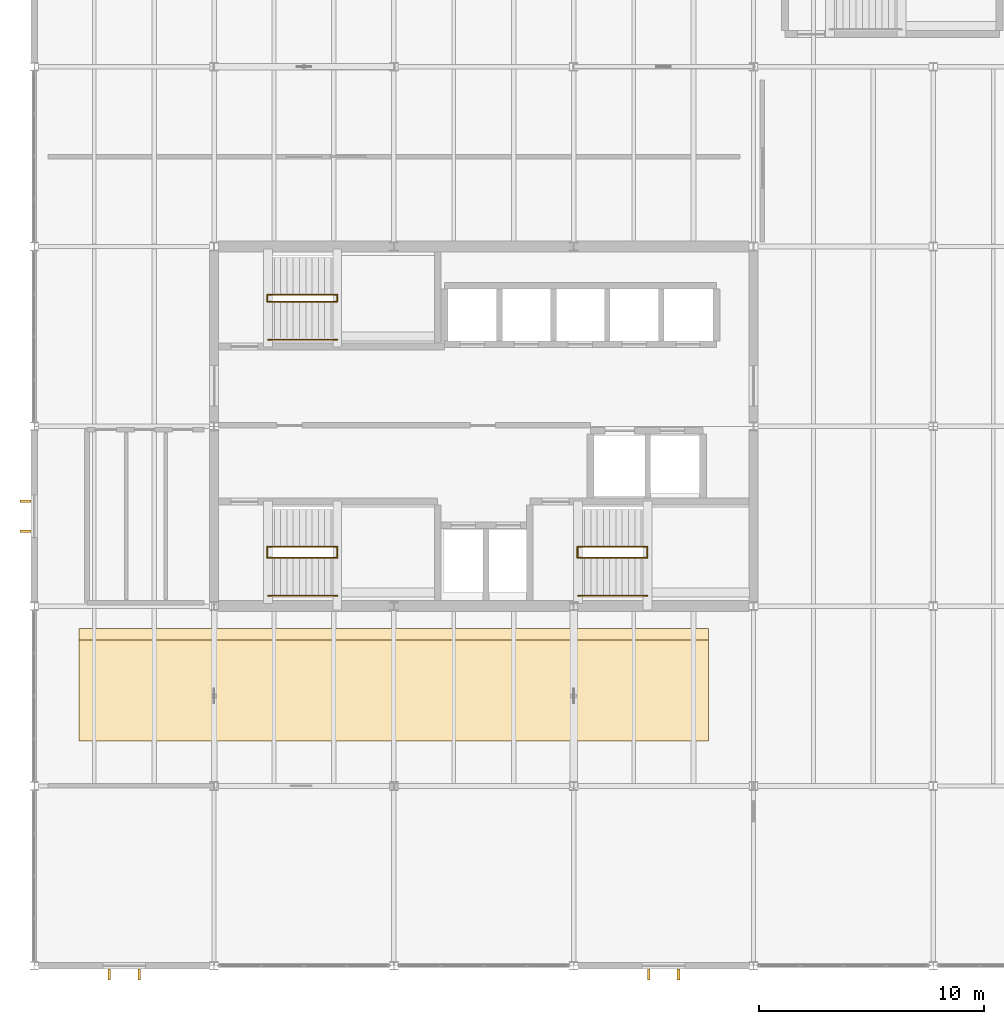
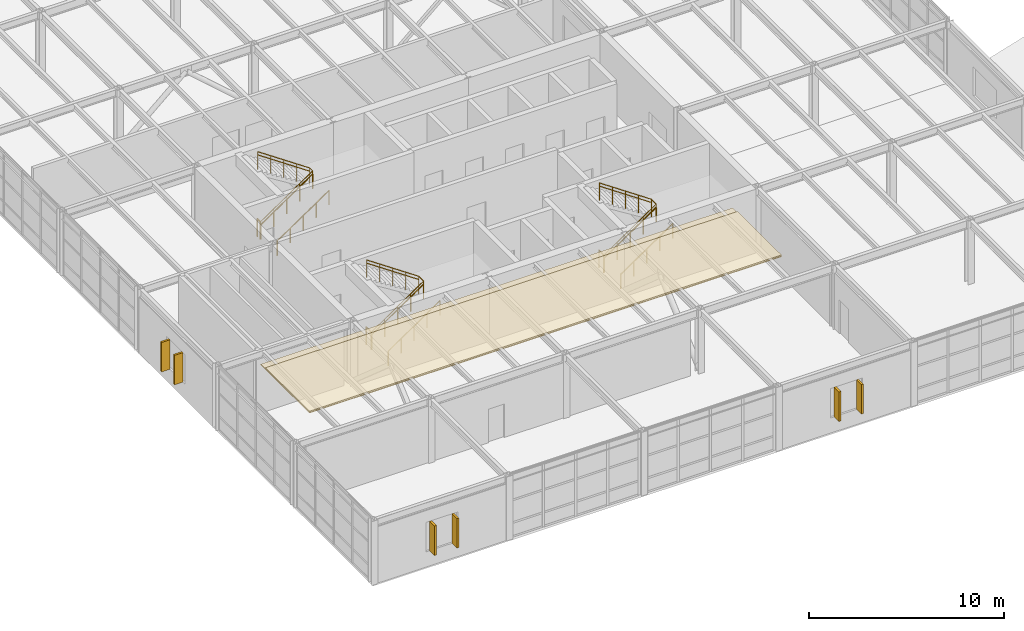
# One storey, part 47 of 50: 18 railings, 6 shading devices, 2 coverings.
"""IFC4 building model written with IfcOpenShell, lengths in metres."""

from ifc_helpers import new_model, si_unit, direction, frame, origin, origin_2d, place, context, subcontext, project, spatial, polyline, rectangle, circle, outline, extrude, material, layer, layer_set, type_object, element, save


model = new_model("IFC4")

# Units and contexts
model_context = context("Model", 3, precision=1e-05, world=origin(), true_north=direction((0.0, 1.0)))
body_context = subcontext(model_context, "Body", "Model", "MODEL_VIEW")
ifc_project = project(units=[si_unit("LENGTHUNIT", "METRE"), si_unit("AREAUNIT", "SQUARE_METRE"), si_unit("VOLUMEUNIT", "CUBIC_METRE"), si_unit("PLANEANGLEUNIT", "RADIAN"), si_unit("MASSUNIT", "GRAM", prefix="KILO")], contexts=[model_context])

# Site, building, storey
site_placement = place(None, origin())
site = spatial("IfcSite", under=ifc_project, at=site_placement, CompositionType="ELEMENT")
building_placement = place(site_placement, origin())
building = spatial("IfcBuilding", under=site, at=building_placement, Name="Varnela Railside Interchange", CompositionType="ELEMENT")
storey_placement = place(building_placement, frame((0.0, 0.0, 15.39990234375)))
storey = spatial("IfcBuildingStorey", under=building, at=storey_placement, Name="L03", CompositionType="ELEMENT", Elevation=15.39990234375)

# Coverings
ifc_material_1 = material(Name="Concrete C40 precast", Category="concrete")
ifc_layer_1 = layer(ifc_material_1, 0.050048828125)
ifc_layer_set_1 = layer_set([ifc_layer_1], Name="Concrete C40 precast")
covering_type_1 = type_object("IfcCoveringType", Name="Board-Formed Concrete Cladding Liner CV-CLD", PredefinedType="CLADDING", material=ifc_layer_set_1)
covering_1_placement = place(storey_placement, frame((0.0, 0.0, 3.8701171875)))
element("IfcCovering", 1, at=covering_1_placement, inside=storey, type_object=covering_type_1, Name="Board-Formed Concrete Cladding Liner CV-CLD", PredefinedType="CLADDING", context=body_context, shape_type="SweptSolid", body=[
    extrude(outline(polyline([(6.0, 48.0), (34.0, 48.0), (34.0, 53.0), (6.0, 53.0), (6.0, 48.0)])), origin(), (0.0, 0.0, 1.0), 0.050048828125),
])
ifc_material_2 = material(Name="Mineral wool acoustic")
ifc_layer_2 = layer(ifc_material_2, 0.080078125)
ifc_layer_set_2 = layer_set([ifc_layer_2], Name="Mineral wool acoustic")
covering_type_2 = type_object("IfcCoveringType", Name="Mineral Wool Soffit Insulation CV-INS", PredefinedType="INSULATION", material=ifc_layer_set_2)
covering_2_placement = place(storey_placement, frame((0.0, 0.0, 3.920166015625)))
element("IfcCovering", 2, at=covering_2_placement, inside=storey, type_object=covering_type_2, Name="Mineral Wool Soffit Insulation CV-INS", PredefinedType="INSULATION", context=body_context, shape_type="SweptSolid", body=[
    extrude(outline(polyline([(6.0, 48.0), (34.0, 48.0), (34.0, 52.5), (6.0, 52.5), (6.0, 48.0)])), origin(), (0.0, 0.0, 1.0), 0.079833984375),
])

# Shading devices
shading_device_type = type_object("IfcShadingDeviceType", Name="Paulista Vertical Brise-Soleil BS-01", PredefinedType="USERDEFINED", material=ifc_material_1)
for number, where, z_axis, x_axis, name in (
    (3, (32.6650390625, 37.614990234375, 0.949951171875), (0.0, 0.0, 1.0), (0.0, -1.0, 0.0), "Paulista Vertical Brise-Soleil BS-01 (L03)"),
    (4, (31.3349609375, 37.614990234375, 0.949951171875), (0.0, 0.0, 1.0), (0.0, -1.0, 0.0), "Paulista Vertical Brise-Soleil BS-01 (L03)"),
    (5, (8.6650390625, 37.614990234375, 0.949951171875), (0.0, 0.0, 1.0), (0.0, -1.0, 0.0), "Paulista Vertical Brise-Soleil BS-01 (L03)"),
    (6, (7.3349609375, 37.614990234375, 0.949951171875), (0.0, 0.0, 1.0), (0.0, -1.0, 0.0), "Paulista Vertical Brise-Soleil BS-01 (L03)"),
    (7, (3.614990234375, 57.3349609375, 0.949951171875), (0.0, 0.0, 1.0), (-1.0, 0.0, 0.0), "Paulista Vertical Brise-Soleil BS-01 (L03)"),
    (8, (3.614990234375, 58.6650390625, 0.949951171875), (0.0, 0.0, 1.0), (-1.0, 0.0, 0.0), "Paulista Vertical Brise-Soleil BS-01 (L03)"),
):
    element("IfcShadingDevice", number, at=place(storey_placement, frame(where, z_axis=z_axis, x_axis=x_axis)), inside=storey, type_object=shading_device_type, Name=name, ObjectType="FIN", PredefinedType="USERDEFINED", context=body_context, shape_type="SweptSolid", body=[
        extrude(rectangle(XDim=0.5, YDim=0.1201171875, at=origin_2d()), origin(), (0.0, 0.0, 1.0), 1.85009765625),
    ])

# Railings
ifc_material_3 = material(Name="Steel AR 350 (350 MPa)", Category="steel")
railing_type_1 = type_object("IfcRailingType", Name="Stair & Ramp Pitch Handrail HR-01", PredefinedType="HANDRAIL", material=ifc_material_3)
railing_1_placement = place(storey_placement, frame((14.39990234375, 56.14990234375, 0.0)))
element("IfcRailing", 9, at=railing_1_placement, inside=storey, type_object=railing_type_1, Name="Stair Handrail ST-T1 Flight 1 (RL-0396)", PredefinedType="HANDRAIL", context=body_context, shape_type="SweptSolid", body=[
    extrude(circle(Radius=0.02392578125, at=origin_2d()), frame((0.0, 0.0, 0.89599609375), z_axis=(0.826221800596, 0.0, 0.563344953133), x_axis=(0.0, 1.0, 0.0)), (0.0, 0.0, 1.0), 3.72802734375),
    extrude(circle(Radius=0.02099609375, at=origin_2d()), origin(), (0.0, 0.0, 1.0), 0.871826171875),
    extrude(circle(Radius=0.02099609375, at=origin_2d()), frame((0.77001953125, 0.0, 0.52490234375)), (0.0, 0.0, 1.0), 0.871826171875),
    extrude(circle(Radius=0.02099609375, at=origin_2d()), frame((1.5400390625, 0.0, 1.050048828125)), (0.0, 0.0, 1.0), 0.871826171875),
    extrude(circle(Radius=0.02099609375, at=origin_2d()), frame((2.31005859375, 0.0, 1.5751953125)), (0.0, 0.0, 1.0), 0.871826171875),
    extrude(circle(Radius=0.02099609375, at=origin_2d()), frame((3.080078125, 0.0, 2.10009765625)), (0.0, 0.0, 1.0), 0.871826171875),
])
railing_2_placement = place(storey_placement, frame((17.47998046875, 56.64990234375, 2.10009765625)))
element("IfcRailing", 10, at=railing_2_placement, inside=storey, type_object=railing_type_1, Name="Stair Handrail ST-T1 Flight 2 (RL-0397)", PredefinedType="HANDRAIL", context=body_context, shape_type="SweptSolid", body=[
    extrude(circle(Radius=0.02392578125, at=origin_2d()), frame((0.0, 0.0, 0.89599609375), z_axis=(-0.826221800596, 0.0, 0.563344953133), x_axis=(0.0, -1.0, 0.0)), (0.0, 0.0, 1.0), 3.72802734375),
    extrude(circle(Radius=0.02099609375, at=origin_2d()), origin(), (0.0, 0.0, 1.0), 0.871826171875),
    extrude(circle(Radius=0.02099609375, at=origin_2d()), frame((-0.77001953125, 0.0, 0.52490234375)), (0.0, 0.0, 1.0), 0.871826171875),
    extrude(circle(Radius=0.02099609375, at=origin_2d()), frame((-1.5400390625, 0.0, 1.050048828125)), (0.0, 0.0, 1.0), 0.871826171875),
    extrude(circle(Radius=0.02099609375, at=origin_2d()), frame((-2.31005859375, 0.0, 1.5751953125)), (0.0, 0.0, 1.0), 0.871826171875),
    extrude(circle(Radius=0.02099609375, at=origin_2d()), frame((-3.080078125, 0.0, 2.10009765625)), (0.0, 0.0, 1.0), 0.871826171875),
])
railing_3_placement = place(storey_placement, frame((28.199951171875, 56.14990234375, 0.0)))
element("IfcRailing", 11, at=railing_3_placement, inside=storey, type_object=railing_type_1, Name="Stair Handrail ST-T2 Flight 1 (RL-0398)", PredefinedType="HANDRAIL", context=body_context, shape_type="SweptSolid", body=[
    extrude(circle(Radius=0.02392578125, at=origin_2d()), frame((0.0, 0.0, 0.89599609375), z_axis=(0.826221800596, 0.0, 0.563344953133), x_axis=(0.0, 1.0, 0.0)), (0.0, 0.0, 1.0), 3.72802734375),
    extrude(circle(Radius=0.02099609375, at=origin_2d()), origin(), (0.0, 0.0, 1.0), 0.871826171875),
    extrude(circle(Radius=0.02099609375, at=origin_2d()), frame((0.77001953125, 0.0, 0.52490234375)), (0.0, 0.0, 1.0), 0.871826171875),
    extrude(circle(Radius=0.02099609375, at=origin_2d()), frame((1.5400390625, 0.0, 1.050048828125)), (0.0, 0.0, 1.0), 0.871826171875),
    extrude(circle(Radius=0.02099609375, at=origin_2d()), frame((2.31005859375, 0.0, 1.5751953125)), (0.0, 0.0, 1.0), 0.871826171875),
    extrude(circle(Radius=0.02099609375, at=origin_2d()), frame((3.080078125, 0.0, 2.10009765625)), (0.0, 0.0, 1.0), 0.871826171875),
])
railing_4_placement = place(storey_placement, frame((31.280029296875, 56.64990234375, 2.10009765625)))
element("IfcRailing", 12, at=railing_4_placement, inside=storey, type_object=railing_type_1, Name="Stair Handrail ST-T2 Flight 2 (RL-0399)", PredefinedType="HANDRAIL", context=body_context, shape_type="SweptSolid", body=[
    extrude(circle(Radius=0.02392578125, at=origin_2d()), frame((0.0, 0.0, 0.89599609375), z_axis=(-0.826221800596, 0.0, 0.563344953133), x_axis=(0.0, -1.0, 0.0)), (0.0, 0.0, 1.0), 3.72802734375),
    extrude(circle(Radius=0.02099609375, at=origin_2d()), origin(), (0.0, 0.0, 1.0), 0.871826171875),
    extrude(circle(Radius=0.02099609375, at=origin_2d()), frame((-0.77001953125, 0.0, 0.52490234375)), (0.0, 0.0, 1.0), 0.871826171875),
    extrude(circle(Radius=0.02099609375, at=origin_2d()), frame((-1.5400390625, 0.0, 1.050048828125)), (0.0, 0.0, 1.0), 0.871826171875),
    extrude(circle(Radius=0.02099609375, at=origin_2d()), frame((-2.31005859375, 0.0, 1.5751953125)), (0.0, 0.0, 1.0), 0.871826171875),
    extrude(circle(Radius=0.02099609375, at=origin_2d()), frame((-3.080078125, 0.0, 2.10009765625)), (0.0, 0.0, 1.0), 0.871826171875),
])
railing_5_placement = place(storey_placement, frame((14.39990234375, 67.550048828125, 0.0)))
element("IfcRailing", 13, at=railing_5_placement, inside=storey, type_object=railing_type_1, Name="Stair Handrail ST-T3 Flight 1 (RL-0400)", PredefinedType="HANDRAIL", context=body_context, shape_type="SweptSolid", body=[
    extrude(circle(Radius=0.02392578125, at=origin_2d()), frame((0.0, 0.0, 0.89599609375), z_axis=(0.826221800596, 0.0, 0.563344953133), x_axis=(0.0, 1.0, 0.0)), (0.0, 0.0, 1.0), 3.72802734375),
    extrude(circle(Radius=0.02099609375, at=origin_2d()), origin(), (0.0, 0.0, 1.0), 0.871826171875),
    extrude(circle(Radius=0.02099609375, at=origin_2d()), frame((0.77001953125, 0.0, 0.52490234375)), (0.0, 0.0, 1.0), 0.871826171875),
    extrude(circle(Radius=0.02099609375, at=origin_2d()), frame((1.5400390625, 0.0, 1.050048828125)), (0.0, 0.0, 1.0), 0.871826171875),
    extrude(circle(Radius=0.02099609375, at=origin_2d()), frame((2.31005859375, 0.0, 1.5751953125)), (0.0, 0.0, 1.0), 0.871826171875),
    extrude(circle(Radius=0.02099609375, at=origin_2d()), frame((3.080078125, 0.0, 2.10009765625)), (0.0, 0.0, 1.0), 0.871826171875),
])
railing_6_placement = place(storey_placement, frame((17.47998046875, 67.85009765625, 2.10009765625)))
element("IfcRailing", 14, at=railing_6_placement, inside=storey, type_object=railing_type_1, Name="Stair Handrail ST-T3 Flight 2 (RL-0401)", PredefinedType="HANDRAIL", context=body_context, shape_type="SweptSolid", body=[
    extrude(circle(Radius=0.02392578125, at=origin_2d()), frame((0.0, 0.0, 0.89599609375), z_axis=(-0.826221800596, 0.0, 0.563344953133), x_axis=(0.0, -1.0, 0.0)), (0.0, 0.0, 1.0), 3.72802734375),
    extrude(circle(Radius=0.02099609375, at=origin_2d()), origin(), (0.0, 0.0, 1.0), 0.871826171875),
    extrude(circle(Radius=0.02099609375, at=origin_2d()), frame((-0.77001953125, 0.0, 0.52490234375)), (0.0, 0.0, 1.0), 0.871826171875),
    extrude(circle(Radius=0.02099609375, at=origin_2d()), frame((-1.5400390625, 0.0, 1.050048828125)), (0.0, 0.0, 1.0), 0.871826171875),
    extrude(circle(Radius=0.02099609375, at=origin_2d()), frame((-2.31005859375, 0.0, 1.5751953125)), (0.0, 0.0, 1.0), 0.871826171875),
    extrude(circle(Radius=0.02099609375, at=origin_2d()), frame((-3.080078125, 0.0, 2.10009765625)), (0.0, 0.0, 1.0), 0.871826171875),
])
railing_type_2 = type_object("IfcRailingType", Name="Stair Well & Landing Guard GR-02", PredefinedType="GUARDRAIL", material=ifc_material_3)
railing_7_placement = place(storey_placement, frame((14.3701171875, 56.14990234375, 0.0)))
element("IfcRailing", 15, at=railing_7_placement, inside=storey, type_object=railing_type_2, Name="Stair Well Slot Guard ST-T1 on L03 (RL-0382)", PredefinedType="GUARDRAIL", context=body_context, shape_type="SweptSolid", body=[
    extrude(circle(Radius=0.02392578125, at=origin_2d()), frame((0.0, 0.0, 1.09619140625), z_axis=(0.0, 1.0, 0.0), x_axis=(-1.0, 0.0, 0.0)), (0.0, 0.0, 1.0), 0.5),
    extrude(circle(Radius=0.02099609375, at=origin_2d()), origin(), (0.0, 0.0, 1.0), 1.072021484375),
    extrude(circle(Radius=0.02099609375, at=origin_2d()), frame((0.0, 0.5, 0.0)), (0.0, 0.0, 1.0), 1.072021484375),
])
railing_8_placement = place(storey_placement, frame((14.39990234375, 56.14990234375, 0.0)))
element("IfcRailing", 16, at=railing_8_placement, inside=storey, type_object=railing_type_2, Name="Stair Guard ST-T1 Half-Landing (RL-0380)", PredefinedType="GUARDRAIL", context=body_context, shape_type="SweptSolid", body=[
    extrude(circle(Radius=0.02392578125, at=origin_2d()), frame((0.0, 0.0, 1.09619140625), z_axis=(0.826221800596, 0.0, 0.563344953133), x_axis=(0.0, 1.0, 0.0)), (0.0, 0.0, 1.0), 3.72802734375),
    extrude(circle(Radius=0.02392578125, at=origin_2d()), frame((3.080078125, 0.0, 3.1962890625), z_axis=(0.0, 1.0, 0.0), x_axis=(-1.0, 0.0, 0.0)), (0.0, 0.0, 1.0), 0.5),
    extrude(circle(Radius=0.02099609375, at=origin_2d()), origin(), (0.0, 0.0, 1.0), 1.072021484375),
    extrude(circle(Radius=0.02099609375, at=origin_2d()), frame((0.77001953125, 0.0, 0.52490234375)), (0.0, 0.0, 1.0), 1.072021484375),
    extrude(circle(Radius=0.02099609375, at=origin_2d()), frame((1.5400390625, 0.0, 1.050048828125)), (0.0, 0.0, 1.0), 1.072021484375),
    extrude(circle(Radius=0.02099609375, at=origin_2d()), frame((2.31005859375, 0.0, 1.5751953125)), (0.0, 0.0, 1.0), 1.072021484375),
    extrude(circle(Radius=0.02099609375, at=origin_2d()), frame((3.080078125, 0.0, 2.10009765625)), (0.0, 0.0, 1.0), 1.072021484375),
    extrude(circle(Radius=0.02099609375, at=origin_2d()), frame((3.080078125, 0.5, 2.10009765625)), (0.0, 0.0, 1.0), 1.072021484375),
])
railing_9_placement = place(storey_placement, frame((17.47998046875, 56.64990234375, 2.10009765625)))
element("IfcRailing", 17, at=railing_9_placement, inside=storey, type_object=railing_type_2, Name="Stair Guard ST-T1 Upper Flight (RL-0381)", PredefinedType="GUARDRAIL", context=body_context, shape_type="SweptSolid", body=[
    extrude(circle(Radius=0.02392578125, at=origin_2d()), frame((0.0, 0.0, 1.09619140625), z_axis=(-0.826221800596, 0.0, 0.563344953133), x_axis=(0.0, -1.0, 0.0)), (0.0, 0.0, 1.0), 3.72802734375),
    extrude(circle(Radius=0.02099609375, at=origin_2d()), origin(), (0.0, 0.0, 1.0), 1.072021484375),
    extrude(circle(Radius=0.02099609375, at=origin_2d()), frame((-0.77001953125, 0.0, 0.52490234375)), (0.0, 0.0, 1.0), 1.072021484375),
    extrude(circle(Radius=0.02099609375, at=origin_2d()), frame((-1.5400390625, 0.0, 1.050048828125)), (0.0, 0.0, 1.0), 1.072021484375),
    extrude(circle(Radius=0.02099609375, at=origin_2d()), frame((-2.31005859375, 0.0, 1.5751953125)), (0.0, 0.0, 1.0), 1.072021484375),
    extrude(circle(Radius=0.02099609375, at=origin_2d()), frame((-3.080078125, 0.0, 2.10009765625)), (0.0, 0.0, 1.0), 1.072021484375),
])
railing_10_placement = place(storey_placement, frame((28.169921875, 56.14990234375, 0.0)))
element("IfcRailing", 18, at=railing_10_placement, inside=storey, type_object=railing_type_2, Name="Stair Well Slot Guard ST-T2 on L03 (RL-0385)", PredefinedType="GUARDRAIL", context=body_context, shape_type="SweptSolid", body=[
    extrude(circle(Radius=0.02392578125, at=origin_2d()), frame((0.0, 0.0, 1.09619140625), z_axis=(0.0, 1.0, 0.0), x_axis=(-1.0, 0.0, 0.0)), (0.0, 0.0, 1.0), 0.5),
    extrude(circle(Radius=0.02099609375, at=origin_2d()), origin(), (0.0, 0.0, 1.0), 1.072021484375),
    extrude(circle(Radius=0.02099609375, at=origin_2d()), frame((0.0, 0.5, 0.0)), (0.0, 0.0, 1.0), 1.072021484375),
])
railing_11_placement = place(storey_placement, frame((28.199951171875, 56.14990234375, 0.0)))
element("IfcRailing", 19, at=railing_11_placement, inside=storey, type_object=railing_type_2, Name="Stair Guard ST-T2 Half-Landing (RL-0383)", PredefinedType="GUARDRAIL", context=body_context, shape_type="SweptSolid", body=[
    extrude(circle(Radius=0.02392578125, at=origin_2d()), frame((0.0, 0.0, 1.09619140625), z_axis=(0.826221800596, 0.0, 0.563344953133), x_axis=(0.0, 1.0, 0.0)), (0.0, 0.0, 1.0), 3.72802734375),
    extrude(circle(Radius=0.02392578125, at=origin_2d()), frame((3.080078125, 0.0, 3.1962890625), z_axis=(0.0, 1.0, 0.0), x_axis=(-1.0, 0.0, 0.0)), (0.0, 0.0, 1.0), 0.5),
    extrude(circle(Radius=0.02099609375, at=origin_2d()), origin(), (0.0, 0.0, 1.0), 1.072021484375),
    extrude(circle(Radius=0.02099609375, at=origin_2d()), frame((0.77001953125, 0.0, 0.52490234375)), (0.0, 0.0, 1.0), 1.072021484375),
    extrude(circle(Radius=0.02099609375, at=origin_2d()), frame((1.5400390625, 0.0, 1.050048828125)), (0.0, 0.0, 1.0), 1.072021484375),
    extrude(circle(Radius=0.02099609375, at=origin_2d()), frame((2.31005859375, 0.0, 1.5751953125)), (0.0, 0.0, 1.0), 1.072021484375),
    extrude(circle(Radius=0.02099609375, at=origin_2d()), frame((3.080078125, 0.0, 2.10009765625)), (0.0, 0.0, 1.0), 1.072021484375),
    extrude(circle(Radius=0.02099609375, at=origin_2d()), frame((3.080078125, 0.5, 2.10009765625)), (0.0, 0.0, 1.0), 1.072021484375),
])
railing_12_placement = place(storey_placement, frame((31.280029296875, 56.64990234375, 2.10009765625)))
element("IfcRailing", 20, at=railing_12_placement, inside=storey, type_object=railing_type_2, Name="Stair Guard ST-T2 Upper Flight (RL-0384)", PredefinedType="GUARDRAIL", context=body_context, shape_type="SweptSolid", body=[
    extrude(circle(Radius=0.02392578125, at=origin_2d()), frame((0.0, 0.0, 1.09619140625), z_axis=(-0.826221800596, 0.0, 0.563344953133), x_axis=(0.0, -1.0, 0.0)), (0.0, 0.0, 1.0), 3.72802734375),
    extrude(circle(Radius=0.02099609375, at=origin_2d()), origin(), (0.0, 0.0, 1.0), 1.072021484375),
    extrude(circle(Radius=0.02099609375, at=origin_2d()), frame((-0.77001953125, 0.0, 0.52490234375)), (0.0, 0.0, 1.0), 1.072021484375),
    extrude(circle(Radius=0.02099609375, at=origin_2d()), frame((-1.5400390625, 0.0, 1.050048828125)), (0.0, 0.0, 1.0), 1.072021484375),
    extrude(circle(Radius=0.02099609375, at=origin_2d()), frame((-2.31005859375, 0.0, 1.5751953125)), (0.0, 0.0, 1.0), 1.072021484375),
    extrude(circle(Radius=0.02099609375, at=origin_2d()), frame((-3.080078125, 0.0, 2.10009765625)), (0.0, 0.0, 1.0), 1.072021484375),
])
railing_13_placement = place(storey_placement, frame((14.3701171875, 67.550048828125, 0.0)))
element("IfcRailing", 21, at=railing_13_placement, inside=storey, type_object=railing_type_2, Name="Stair Well Slot Guard ST-T3 on L03 (RL-0388)", PredefinedType="GUARDRAIL", context=body_context, shape_type="SweptSolid", body=[
    extrude(circle(Radius=0.02392578125, at=origin_2d()), frame((0.0, 0.0, 1.09619140625), z_axis=(0.0, 1.0, 0.0), x_axis=(-1.0, 0.0, 0.0)), (0.0, 0.0, 1.0), 0.300048828125),
    extrude(circle(Radius=0.02099609375, at=origin_2d()), origin(), (0.0, 0.0, 1.0), 1.072021484375),
    extrude(circle(Radius=0.02099609375, at=origin_2d()), frame((0.0, 0.300048828125, 0.0)), (0.0, 0.0, 1.0), 1.072021484375),
])
railing_14_placement = place(storey_placement, frame((14.39990234375, 67.550048828125, 0.0)))
element("IfcRailing", 22, at=railing_14_placement, inside=storey, type_object=railing_type_2, Name="Stair Guard ST-T3 Half-Landing (RL-0386)", PredefinedType="GUARDRAIL", context=body_context, shape_type="SweptSolid", body=[
    extrude(circle(Radius=0.02392578125, at=origin_2d()), frame((0.0, 0.0, 1.09619140625), z_axis=(0.826221800596, 0.0, 0.563344953133), x_axis=(0.0, 1.0, 0.0)), (0.0, 0.0, 1.0), 3.72802734375),
    extrude(circle(Radius=0.02392578125, at=origin_2d()), frame((3.080078125, 0.0, 3.1962890625), z_axis=(0.0, 1.0, 0.0), x_axis=(-1.0, 0.0, 0.0)), (0.0, 0.0, 1.0), 0.300048828125),
    extrude(circle(Radius=0.02099609375, at=origin_2d()), origin(), (0.0, 0.0, 1.0), 1.072021484375),
    extrude(circle(Radius=0.02099609375, at=origin_2d()), frame((0.77001953125, 0.0, 0.52490234375)), (0.0, 0.0, 1.0), 1.072021484375),
    extrude(circle(Radius=0.02099609375, at=origin_2d()), frame((1.5400390625, 0.0, 1.050048828125)), (0.0, 0.0, 1.0), 1.072021484375),
    extrude(circle(Radius=0.02099609375, at=origin_2d()), frame((2.31005859375, 0.0, 1.5751953125)), (0.0, 0.0, 1.0), 1.072021484375),
    extrude(circle(Radius=0.02099609375, at=origin_2d()), frame((3.080078125, 0.0, 2.10009765625)), (0.0, 0.0, 1.0), 1.072021484375),
    extrude(circle(Radius=0.02099609375, at=origin_2d()), frame((3.080078125, 0.300048828125, 2.10009765625)), (0.0, 0.0, 1.0), 1.072021484375),
])
railing_15_placement = place(storey_placement, frame((17.47998046875, 67.85009765625, 2.10009765625)))
element("IfcRailing", 23, at=railing_15_placement, inside=storey, type_object=railing_type_2, Name="Stair Guard ST-T3 Upper Flight (RL-0387)", PredefinedType="GUARDRAIL", context=body_context, shape_type="SweptSolid", body=[
    extrude(circle(Radius=0.02392578125, at=origin_2d()), frame((0.0, 0.0, 1.09619140625), z_axis=(-0.826221800596, 0.0, 0.563344953133), x_axis=(0.0, -1.0, 0.0)), (0.0, 0.0, 1.0), 3.72802734375),
    extrude(circle(Radius=0.02099609375, at=origin_2d()), origin(), (0.0, 0.0, 1.0), 1.072021484375),
    extrude(circle(Radius=0.02099609375, at=origin_2d()), frame((-0.77001953125, 0.0, 0.52490234375)), (0.0, 0.0, 1.0), 1.072021484375),
    extrude(circle(Radius=0.02099609375, at=origin_2d()), frame((-1.5400390625, 0.0, 1.050048828125)), (0.0, 0.0, 1.0), 1.072021484375),
    extrude(circle(Radius=0.02099609375, at=origin_2d()), frame((-2.31005859375, 0.0, 1.5751953125)), (0.0, 0.0, 1.0), 1.072021484375),
    extrude(circle(Radius=0.02099609375, at=origin_2d()), frame((-3.080078125, 0.0, 2.10009765625)), (0.0, 0.0, 1.0), 1.072021484375),
])
railing_type_3 = type_object("IfcRailingType", Name="Wall-Mounted Stair Handrail HR-02", PredefinedType="HANDRAIL", material=ifc_material_3)
for number, where, name in (
    (24, (14.39990234375, 54.4599609375, 0.0), "Wall Handrail ST-T1 Flight 1 (RL-0406)"),
    (25, (28.199951171875, 54.4599609375, 0.0), "Wall Handrail ST-T2 Flight 1 (RL-0407)"),
    (26, (14.39990234375, 65.860107421875, 0.0), "Wall Handrail ST-T3 Flight 1 (RL-0408)"),
):
    element("IfcRailing", number, at=place(storey_placement, frame(where)), inside=storey, type_object=railing_type_3, Name=name, PredefinedType="HANDRAIL", context=body_context, shape_type="SweptSolid", body=[
        extrude(circle(Radius=0.02392578125, at=origin_2d()), frame((0.0, 0.0, 0.89599609375), z_axis=(0.826221800596, 0.0, 0.563344953133), x_axis=(0.0, 1.0, 0.0)), (0.0, 0.0, 1.0), 3.72802734375),
        extrude(circle(Radius=0.02099609375, at=origin_2d()), origin(), (0.0, 0.0, 1.0), 0.871826171875),
        extrude(circle(Radius=0.02099609375, at=origin_2d()), frame((0.77001953125, 0.0, 0.52490234375)), (0.0, 0.0, 1.0), 0.871826171875),
        extrude(circle(Radius=0.02099609375, at=origin_2d()), frame((1.5400390625, 0.0, 1.050048828125)), (0.0, 0.0, 1.0), 0.871826171875),
        extrude(circle(Radius=0.02099609375, at=origin_2d()), frame((2.31005859375, 0.0, 1.5751953125)), (0.0, 0.0, 1.0), 0.871826171875),
        extrude(circle(Radius=0.02099609375, at=origin_2d()), frame((3.080078125, 0.0, 2.10009765625)), (0.0, 0.0, 1.0), 0.871826171875),
    ])

save(model, "model.ifc")
